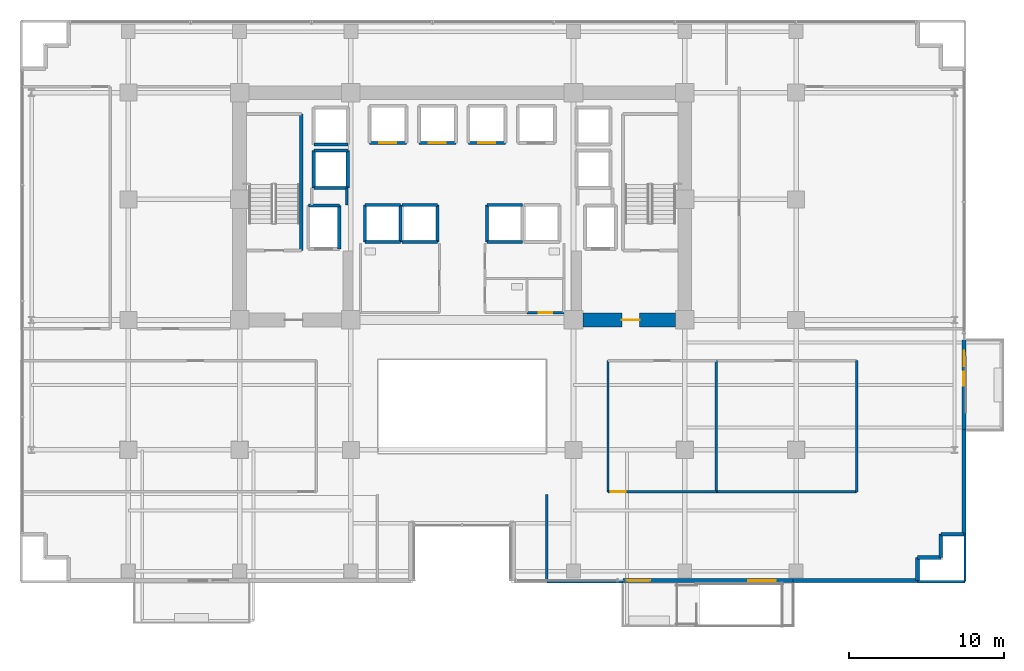
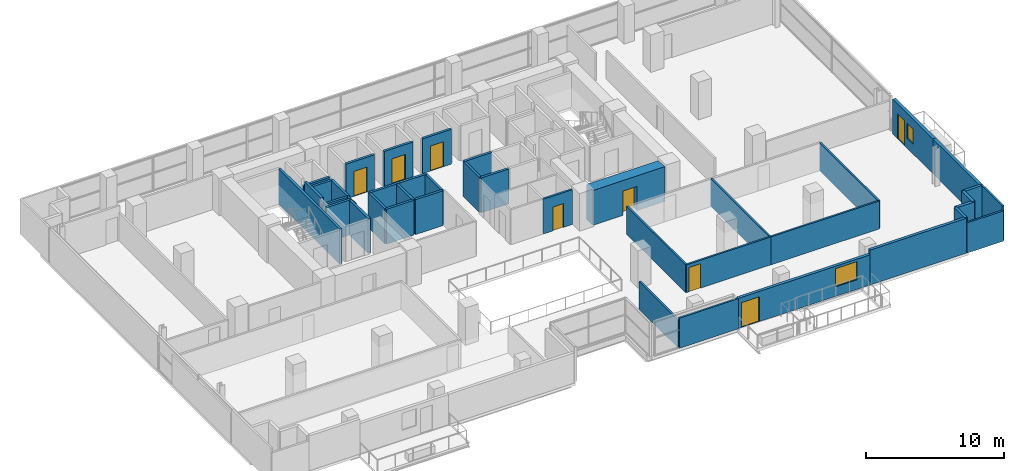
# One storey, part 22 of 28: 41 walls, 8 doors, 2 windows, 10 openings.
"""IFC4 building model written with IfcOpenShell, lengths in metres."""

from ifc_helpers import new_model, si_unit, direction, frame, frame_2d, origin, place, context, subcontext, project, spatial, rectangle, extrude, source, transform, mapped, material, layer, layer_set, type_object, element, fill, save


model = new_model("IFC4")

# Units and contexts
model_context = context("Model", 3, precision=1e-05, world=origin(), true_north=direction((0.0, 1.0)))
body_context = subcontext(model_context, "Body", "Model", "MODEL_VIEW")
ifc_project = project(units=[si_unit("LENGTHUNIT", "METRE"), si_unit("AREAUNIT", "SQUARE_METRE"), si_unit("VOLUMEUNIT", "CUBIC_METRE"), si_unit("PLANEANGLEUNIT", "RADIAN"), si_unit("MASSUNIT", "GRAM", prefix="KILO")], contexts=[model_context])

# Site, building, storey
site_placement = place(None, origin())
site = spatial("IfcSite", under=ifc_project, at=site_placement, CompositionType="ELEMENT")
building_placement = place(site_placement, origin())
building = spatial("IfcBuilding", under=site, at=building_placement, Name="Zarnakvel Exchange Tower", CompositionType="ELEMENT")
storey_placement = place(building_placement, frame((0.0, 0.0, 57.10009765625)))
storey = spatial("IfcBuildingStorey", under=building, at=storey_placement, Name="L15", CompositionType="ELEMENT", Elevation=57.10009765625)

# Wall, opening, door
ifc_material_1 = material(Name="Concrete C80/95", Category="concrete")
ifc_layer_1 = layer(ifc_material_1, 0.89990234375)
ifc_layer_set_1 = layer_set([ifc_layer_1], Name="Concrete C80/95")
wall_type_1 = type_object("IfcWallType", Name="CW-C1", PredefinedType="SHEAR", material=ifc_layer_set_1)
wall_1_placement = place(storey_placement, frame((13.800048828125, -1.199951171875, 0.0), z_axis=(0.0, 0.0, 1.0), x_axis=(-1.0, 0.0, 0.0)))
wall_1 = element("IfcWall", 1, at=wall_1_placement, inside=storey, type_object=wall_type_1, Name="L15 Rear Core Shear Wall SE (CW-C1)", PredefinedType="SHEAR", context=body_context, shape_type="SweptSolid", body=[
    extrude(rectangle(XDim=6.0, YDim=0.89990234375, at=frame_2d((3.0, 0.0))), origin(), (0.0, 0.0, 1.0), 3.074951171875),
])
opening_1_placement = place(wall_1_placement, frame((2.324951171875, 0.0, 0.0)))
opening_1 = element("IfcOpeningElement", 2, at=opening_1_placement, cuts=wall_1, Name="Opening D-L15-04", PredefinedType="OPENING", context=body_context, shape_type="SweptSolid", body=[
    extrude(rectangle(XDim=1.14990234375, YDim=2.14990234375, at=frame_2d((0.574951171875, 1.074951171875))), frame((0.0, 0.4599609375, 0.0), z_axis=(0.0, -1.0, 0.0), x_axis=(1.0, 0.0, 0.0)), (0.0, 0.0, 1.0), 0.919921875),
])
ifc_material_2 = material(Name="Painted Galvanised Steel S355", Category="steel")
door_type_1 = type_object("IfcDoorType", Name="DT-04", OperationType="NOTDEFINED", PredefinedType="DOOR", material=ifc_material_2)
shared_shape_1 = source(origin(), body_context, "Body", "SweptSolid", [
    extrude(rectangle(XDim=1.14990234375, YDim=2.14990234375, at=frame_2d((0.574951171875, 1.074951171875))), frame((0.0, 0.02490234375, 0.0), z_axis=(0.0, -1.0, 0.0), x_axis=(1.0, 0.0, 0.0)), (0.0, 0.0, 1.0), 0.050048828125),
])
door_1_placement = place(opening_1_placement, origin())
door_1 = element("IfcDoor", 3, at=door_1_placement, inside=storey, type_object=door_type_1, Name="L15 Firefighting Lobby East Door D-L15-04", OperationType="SINGLE_SWING_RIGHT", OverallHeight=2.14990234375, OverallWidth=1.14990234375, PredefinedType="DOOR", context=body_context, shape_type="MappedRepresentation", body=[
    mapped(shared_shape_1, transform((0.0, 0.0, 0.0), x_axis=(1.0, 0.0, 0.0), y_axis=(0.0, 1.0, 0.0), z_axis=(0.0, 0.0, 1.0), scale=1.0)),
])
fill(opening_1, door_1)

# Wall, openings, door, window
ifc_material_3 = material(Name="Precast concrete C40/50", Category="concrete")
ifc_layer_2 = layer(ifc_material_3, 0.239990234375)
ifc_layer_set_2 = layer_set([ifc_layer_2], Name="Precast concrete C40/50")
wall_type_2 = type_object("IfcWallType", Name="EW-02", PredefinedType="SOLIDWALL", material=ifc_layer_set_2)
wall_2_placement = place(storey_placement, frame((32.4599609375, -2.5, 0.0), z_axis=(0.0, 0.0, 1.0), x_axis=(0.0, -1.0, 0.0)))
wall_2 = element("IfcWall", 4, at=wall_2_placement, inside=storey, type_object=wall_type_2, Name="L15 Exterior Precast Spandrel Wall EW-BAL-L15-E (EW-02)", PredefinedType="SOLIDWALL", context=body_context, shape_type="SweptSolid", body=[
    extrude(rectangle(XDim=5.800048828125, YDim=0.239990234375, at=frame_2d((2.89990234375, 0.0))), origin(), (0.0, 0.0, 1.0), 3.074951171875),
])
opening_2_placement = place(wall_2_placement, frame((0.696044921875, 0.0, 0.0)))
opening_2 = element("IfcOpeningElement", 5, at=opening_2_placement, cuts=wall_2, Name="Opening BD-L15-02", PredefinedType="OPENING", context=body_context, shape_type="SweptSolid", body=[
    extrude(rectangle(XDim=1.0, YDim=2.199951171875, at=frame_2d((0.5, 1.10009765625))), frame((0.0, 0.1298828125, 0.0), z_axis=(0.0, -1.0, 0.0), x_axis=(1.0, 0.0, 0.0)), (0.0, 0.0, 1.0), 0.260009765625),
])
opening_3_placement = place(wall_2_placement, frame((2.0458984375, 0.0, 0.85009765625)))
opening_3 = element("IfcOpeningElement", 6, at=opening_3_placement, cuts=wall_2, Name="Opening WN-06", PredefinedType="OPENING", context=body_context, shape_type="SweptSolid", body=[
    extrude(rectangle(XDim=0.89990234375, YDim=1.35009765625, at=frame_2d((0.449951171875, 0.675048828125))), frame((0.0, 0.1298828125, 0.0), z_axis=(0.0, -1.0, 0.0), x_axis=(1.0, 0.0, 0.0)), (0.0, 0.0, 1.0), 0.260009765625),
])
ifc_material_4 = material(Name="Architectural Bronze Anodised Aluminium", Category="aluminium")
door_type_2 = type_object("IfcDoorType", Name="DT-09", OperationType="NOTDEFINED", PredefinedType="DOOR", material=ifc_material_4)
shared_shape_2 = source(origin(), body_context, "Body", "SweptSolid", [
    extrude(rectangle(XDim=1.0, YDim=2.199951171875, at=frame_2d((0.5, 1.10009765625))), frame((0.0, 0.02490234375, 0.0), z_axis=(0.0, -1.0, 0.0), x_axis=(1.0, 0.0, 0.0)), (0.0, 0.0, 1.0), 0.050048828125),
])
door_2_placement = place(opening_2_placement, origin())
door_2 = element("IfcDoor", 7, at=door_2_placement, inside=storey, type_object=door_type_2, Name="L15 Planted Loggia Balcony Door BD-L15-02", OperationType="SINGLE_SWING_RIGHT", OverallHeight=2.199951171875, OverallWidth=1.0, PredefinedType="DOOR", context=body_context, shape_type="MappedRepresentation", body=[
    mapped(shared_shape_2, transform((0.0, 0.0, 0.0), x_axis=(1.0, 0.0, 0.0), y_axis=(0.0, 1.0, 0.0), z_axis=(0.0, 0.0, 1.0), scale=1.0)),
])
fill(opening_2, door_2)
ifc_material_5 = material(Name="Double Low-E Laminated Vision Glass", Category="glass")
window_type_1 = type_object("IfcWindowType", Name="WN-06", PartitioningType="SINGLE_PANEL", PredefinedType="WINDOW", material=ifc_material_5)
shared_shape_3 = source(origin(), body_context, "Body", "SweptSolid", [
    extrude(rectangle(XDim=0.89990234375, YDim=1.35009765625, at=frame_2d((0.449951171875, 0.675048828125))), frame((0.0, 0.030029296875, 0.0), z_axis=(0.0, -1.0, 0.0), x_axis=(1.0, 0.0, 0.0)), (0.0, 0.0, 1.0), 0.06005859375),
])
window_1_placement = place(opening_3_placement, origin())
window_1 = element("IfcWindow", 8, at=window_1_placement, inside=storey, type_object=window_type_1, Name="L15 Loggia Daylight Window (WN-06)", OverallHeight=1.35009765625, OverallWidth=0.89990234375, PartitioningType="SINGLE_PANEL", PredefinedType="WINDOW", context=body_context, shape_type="MappedRepresentation", body=[
    mapped(shared_shape_3, transform((0.0, 0.0, 0.0), x_axis=(1.0, 0.0, 0.0), y_axis=(0.0, 1.0, 0.0), z_axis=(0.0, 0.0, 1.0), scale=1.0)),
])
fill(opening_3, window_1)

wall_3_placement = place(storey_placement, frame((21.39990234375, -18.06005859375, 0.0), z_axis=(0.0, 0.0, 1.0), x_axis=(-1.0, 0.0, 0.0)))
wall_3 = element("IfcWall", 9, at=wall_3_placement, inside=storey, type_object=wall_type_2, Name="L15 Exterior Precast Spandrel Wall EW-SPTER-L15 (EW-02)", PredefinedType="SOLIDWALL", context=body_context, shape_type="SweptSolid", body=[
    extrude(rectangle(XDim=11.0, YDim=0.239990234375, at=frame_2d((5.5, 0.0))), origin(), (0.0, 0.0, 1.0), 2.664794921875),
])
opening_4_placement = place(wall_3_placement, frame((9.25, 0.0, 0.0)))
opening_4 = element("IfcOpeningElement", 10, at=opening_4_placement, cuts=wall_3, Name="Opening TD-L15-SP", PredefinedType="OPENING", context=body_context, shape_type="SweptSolid", body=[
    extrude(rectangle(XDim=1.5, YDim=2.199951171875, at=frame_2d((0.75, 1.10009765625))), frame((0.0, 0.1298828125, 0.0), z_axis=(0.0, -1.0, 0.0), x_axis=(1.0, 0.0, 0.0)), (0.0, 0.0, 1.0), 0.260009765625),
])
opening_5_placement = place(wall_3_placement, frame((1.10009765625, 0.0, 0.85009765625)))
opening_5 = element("IfcOpeningElement", 11, at=opening_5_placement, cuts=wall_3, Name="Opening WN-05", PredefinedType="OPENING", context=body_context, shape_type="SweptSolid", body=[
    extrude(rectangle(XDim=1.800048828125, YDim=1.60009765625, at=frame_2d((0.89990234375, 0.800048828125))), frame((0.0, 0.1298828125, 0.0), z_axis=(0.0, -1.0, 0.0), x_axis=(1.0, 0.0, 0.0)), (0.0, 0.0, 1.0), 0.260009765625),
])
door_type_3 = type_object("IfcDoorType", Name="DT-10", OperationType="NOTDEFINED", PredefinedType="DOOR", material=ifc_material_4)
shared_shape_4 = source(origin(), body_context, "Body", "SweptSolid", [
    extrude(rectangle(XDim=1.5, YDim=2.199951171875, at=frame_2d((0.75, 1.10009765625))), frame((0.0, 0.02490234375, 0.0), z_axis=(0.0, -1.0, 0.0), x_axis=(1.0, 0.0, 0.0)), (0.0, 0.0, 1.0), 0.050048828125),
])
door_3_placement = place(opening_4_placement, origin())
door_3 = element("IfcDoor", 12, at=door_3_placement, inside=storey, type_object=door_type_3, Name="L15 Spiral Sky-Terrace Access Door TD-L15-SP", OperationType="DOUBLE_DOOR_SINGLE_SWING", OverallHeight=2.199951171875, OverallWidth=1.5, PredefinedType="DOOR", context=body_context, shape_type="MappedRepresentation", body=[
    mapped(shared_shape_4, transform((0.0, 0.0, 0.0), x_axis=(1.0, 0.0, 0.0), y_axis=(0.0, 1.0, 0.0), z_axis=(0.0, 0.0, 1.0), scale=1.0)),
])
fill(opening_4, door_3)
window_type_2 = type_object("IfcWindowType", Name="WN-05", PartitioningType="SINGLE_PANEL", PredefinedType="WINDOW", material=ifc_material_5)
shared_shape_5 = source(origin(), body_context, "Body", "SweptSolid", [
    extrude(rectangle(XDim=1.800048828125, YDim=1.60009765625, at=frame_2d((0.89990234375, 0.800048828125))), frame((0.0, 0.030029296875, 0.0), z_axis=(0.0, -1.0, 0.0), x_axis=(1.0, 0.0, 0.0)), (0.0, 0.0, 1.0), 0.06005859375),
])
window_2_placement = place(opening_5_placement, origin())
window_2 = element("IfcWindow", 13, at=window_2_placement, inside=storey, type_object=window_type_2, Name="L15 Spiral Sky-Terrace Lounge Window", OverallHeight=1.60009765625, OverallWidth=1.800048828125, PartitioningType="SINGLE_PANEL", PredefinedType="WINDOW", context=body_context, shape_type="MappedRepresentation", body=[
    mapped(shared_shape_5, transform((0.0, 0.0, 0.0), x_axis=(1.0, 0.0, 0.0), y_axis=(0.0, 1.0, 0.0), z_axis=(0.0, 0.0, 1.0), scale=1.0)),
])
fill(opening_5, window_2)

# Walls
wall_4_placement = place(storey_placement, frame((32.4599609375, -15.06005859375, 0.0), z_axis=(0.0, 0.0, 1.0), x_axis=(0.0, 1.0, 0.0)))
element("IfcWall", 14, at=wall_4_placement, inside=storey, type_object=wall_type_2, Name="L15 Exterior Precast Spandrel Wall EWC-L15-10 (EW-02)", PredefinedType="SOLIDWALL", context=body_context, shape_type="SweptSolid", body=[
    extrude(rectangle(XDim=6.760009765625, YDim=0.239990234375, at=frame_2d((3.3798828125, 0.0))), origin(), (0.0, 0.0, 1.0), 3.074951171875),
])
for number, where, z_axis, x_axis, name in (
    (15, (30.9599609375, -15.06005859375, 0.0), (0.0, 0.0, 1.0), (1.0, 0.0, 0.0), "L15 Exterior Precast Spandrel Wall EWC-L15-11 (EW-02)"),
    (16, (30.9599609375, -16.56005859375, 0.0), (0.0, 0.0, 1.0), (0.0, 1.0, 0.0), "L15 Exterior Precast Spandrel Wall EWC-L15-12 (EW-02)"),
    (17, (29.4599609375, -16.56005859375, 0.0), (0.0, 0.0, 1.0), (1.0, 0.0, 0.0), "L15 Exterior Precast Spandrel Wall EWC-L15-13 (EW-02)"),
    (18, (29.4599609375, -18.06005859375, 0.0), (0.0, 0.0, 1.0), (0.0, 1.0, 0.0), "L15 Exterior Precast Spandrel Wall EWC-L15-14 (EW-02)"),
):
    element("IfcWall", number, at=place(storey_placement, frame(where, z_axis=z_axis, x_axis=x_axis)), inside=storey, type_object=wall_type_2, Name=name, PredefinedType="SOLIDWALL", context=body_context, shape_type="SweptSolid", body=[
        extrude(rectangle(XDim=1.5, YDim=0.239990234375, at=frame_2d((0.75, 0.0))), origin(), (0.0, 0.0, 1.0), 3.074951171875),
    ])
wall_5_placement = place(storey_placement, frame((21.39990234375, -18.06005859375, 0.0), z_axis=(0.0, 0.0, 1.0), x_axis=(1.0, 0.0, 0.0)))
element("IfcWall", 19, at=wall_5_placement, inside=storey, type_object=wall_type_2, Name="L15 Exterior Precast Spandrel Wall EWC-L15-15 (EW-02)", PredefinedType="SOLIDWALL", context=body_context, shape_type="SweptSolid", body=[
    extrude(rectangle(XDim=8.06005859375, YDim=0.239990234375, at=frame_2d((4.030029296875, 0.0))), origin(), (0.0, 0.0, 1.0), 3.074951171875),
])

# Wall, opening, door
ifc_material_6 = material(Name="Fire-Rated Gypsum Stud Partition", Category="gypsum")
ifc_layer_3 = layer(ifc_material_6, 0.14990234375)
ifc_layer_set_3 = layer_set([ifc_layer_3], Name="Fire-Rated Gypsum Stud Partition")
wall_type_3 = type_object("IfcWallType", Name="PT-01", PredefinedType="PARTITIONING", material=ifc_layer_set_3)
wall_6_placement = place(storey_placement, frame((6.580078125, -0.72998046875, 0.0), z_axis=(0.0, 0.0, 1.0), x_axis=(-1.0, 0.0, 0.0)))
wall_6 = element("IfcWall", 20, at=wall_6_placement, inside=storey, type_object=wall_type_3, Name="L15 Partition Wall PWALL-L15-020 (PT-01)", PredefinedType="PARTITIONING", context=body_context, shape_type="SweptSolid", body=[
    extrude(rectangle(XDim=2.400146484375, YDim=0.14990234375, at=frame_2d((1.2001953125, 0.0))), origin(), (0.0, 0.0, 1.0), 3.074951171875),
])
opening_6_placement = place(wall_6_placement, frame((0.760009765625, 0.0, 0.0)))
opening_6 = element("IfcOpeningElement", 21, at=opening_6_placement, cuts=wall_6, Name="Opening D-L15-08", PredefinedType="OPENING", context=body_context, shape_type="SweptSolid", body=[
    extrude(rectangle(XDim=0.8798828125, YDim=2.10009765625, at=frame_2d((0.43994140625, 1.050048828125))), frame((0.0, 0.0849609375, 0.0), z_axis=(0.0, -1.0, 0.0), x_axis=(1.0, 0.0, 0.0)), (0.0, 0.0, 1.0), 0.169921875),
])
door_type_4 = type_object("IfcDoorType", Name="DT-08", OperationType="NOTDEFINED", PredefinedType="DOOR", material=ifc_material_2)
shared_shape_6 = source(origin(), body_context, "Body", "SweptSolid", [
    extrude(rectangle(XDim=0.8798828125, YDim=2.10009765625, at=frame_2d((0.43994140625, 1.050048828125))), frame((0.0, 0.02490234375, 0.0), z_axis=(0.0, -1.0, 0.0), x_axis=(1.0, 0.0, 0.0)), (0.0, 0.0, 1.0), 0.050048828125),
])
door_4_placement = place(opening_6_placement, origin())
door_4 = element("IfcDoor", 22, at=door_4_placement, inside=storey, type_object=door_type_4, Name="L15 Cleaners Store Door D-L15-08", OperationType="SINGLE_SWING_RIGHT", OverallHeight=2.10009765625, OverallWidth=0.8798828125, PredefinedType="DOOR", context=body_context, shape_type="MappedRepresentation", body=[
    mapped(shared_shape_6, transform((0.0, 0.0, 0.0), x_axis=(1.0, 0.0, 0.0), y_axis=(0.0, 1.0, 0.0), z_axis=(0.0, 0.0, 1.0), scale=1.0)),
])
fill(opening_6, door_4)

wall_7_placement = place(storey_placement, frame((16.444580078125, -12.320068359375, 0.0), z_axis=(0.0, 0.0, 1.0), x_axis=(-1.0, 0.0, 0.0)))
wall_7 = element("IfcWall", 23, at=wall_7_placement, inside=storey, type_object=wall_type_3, Name="L15 Partition Wall PWALL-L15-029 (PT-01)", PredefinedType="PARTITIONING", context=body_context, shape_type="SweptSolid", body=[
    extrude(rectangle(XDim=7.0146484375, YDim=0.14990234375, at=frame_2d((3.50732421875, 0.0))), origin(), (0.0, 0.0, 1.0), 2.46484375),
])
opening_7_placement = place(wall_7_placement, frame((5.8544921875, 0.0, 0.0)))
opening_7 = element("IfcOpeningElement", 24, at=opening_7_placement, cuts=wall_7, Name="Opening D-L15-13", PredefinedType="OPENING", context=body_context, shape_type="SweptSolid", body=[
    extrude(rectangle(XDim=0.97998046875, YDim=2.14990234375, at=frame_2d((0.489990234375, 1.074951171875))), frame((0.0, 0.0849609375, 0.0), z_axis=(0.0, -1.0, 0.0), x_axis=(1.0, 0.0, 0.0)), (0.0, 0.0, 1.0), 0.169921875),
])
ifc_material_7 = material(Name="Timber Acoustic Veneer", Category="wood")
door_type_5 = type_object("IfcDoorType", Name="DT-05", OperationType="NOTDEFINED", PredefinedType="DOOR", material=ifc_material_7)
shared_shape_7 = source(origin(), body_context, "Body", "SweptSolid", [
    extrude(rectangle(XDim=0.97998046875, YDim=2.14990234375, at=frame_2d((0.489990234375, 1.074951171875))), frame((0.0, 0.02490234375, 0.0), z_axis=(0.0, -1.0, 0.0), x_axis=(1.0, 0.0, 0.0)), (0.0, 0.0, 1.0), 0.050048828125),
])
door_5_placement = place(opening_7_placement, origin())
door_5 = element("IfcDoor", 25, at=door_5_placement, inside=storey, type_object=door_type_5, Name="L15 Brokerage Office Door D-L15-13", OperationType="SINGLE_SWING_LEFT", OverallHeight=2.14990234375, OverallWidth=0.97998046875, PredefinedType="DOOR", context=body_context, shape_type="MappedRepresentation", body=[
    mapped(shared_shape_7, transform((0.0, 0.0, 0.0), x_axis=(1.0, 0.0, 0.0), y_axis=(0.0, 1.0, 0.0), z_axis=(0.0, 0.0, 1.0), scale=1.0)),
])
fill(opening_7, door_5)

# Walls
for number, where, z_axis, x_axis, name in (
    (26, (9.429931640625, -12.320068359375, 0.0), (0.0, 0.0, 1.0), (0.0, 1.0, 0.0), "L15 Partition Wall PWALL-L15-031 (PT-01)"),
    (27, (16.444580078125, -3.830078125, 0.0), (0.0, 0.0, 1.0), (0.0, -1.0, 0.0), "L15 Partition Wall PWALL-L15-032 (PT-01)"),
):
    element("IfcWall", number, at=place(storey_placement, frame(where, z_axis=z_axis, x_axis=x_axis)), inside=storey, type_object=wall_type_3, Name=name, PredefinedType="PARTITIONING", context=body_context, shape_type="SweptSolid", body=[
        extrude(rectangle(XDim=8.489990234375, YDim=0.14990234375, at=frame_2d((4.2451171875, 0.0))), origin(), (0.0, 0.0, 1.0), 2.46484375),
    ])
wall_8_placement = place(storey_placement, frame((25.515380859375, -12.320068359375, 0.0), z_axis=(0.0, 0.0, 1.0), x_axis=(-1.0, 0.0, 0.0)))
element("IfcWall", 28, at=wall_8_placement, inside=storey, type_object=wall_type_3, Name="L15 Partition Wall PWALL-L15-033 (PT-01)", PredefinedType="PARTITIONING", context=body_context, shape_type="SweptSolid", body=[
    extrude(rectangle(XDim=9.07080078125, YDim=0.14990234375, at=frame_2d((4.535400390625, 0.0))), origin(), (0.0, 0.0, 1.0), 2.46484375),
])
wall_9_placement = place(storey_placement, frame((25.515380859375, -3.830078125, 0.0), z_axis=(0.0, 0.0, 1.0), x_axis=(0.0, -1.0, 0.0)))
element("IfcWall", 29, at=wall_9_placement, inside=storey, type_object=wall_type_3, Name="L15 Partition Wall PWALL-L15-035 (PT-01)", PredefinedType="PARTITIONING", context=body_context, shape_type="SweptSolid", body=[
    extrude(rectangle(XDim=8.489990234375, YDim=0.14990234375, at=frame_2d((4.2451171875, 0.0))), origin(), (0.0, 0.0, 1.0), 2.46484375),
])
wall_10_placement = place(storey_placement, frame((10.39990234375, -18.1298828125, 0.0), z_axis=(0.0, 0.0, 1.0), x_axis=(-1.0, 0.0, 0.0)))
element("IfcWall", 30, at=wall_10_placement, inside=storey, type_object=wall_type_3, Name="L15 Partition Wall PWALL-L15-036 (PT-01)", PredefinedType="PARTITIONING", context=body_context, shape_type="SweptSolid", body=[
    extrude(rectangle(XDim=4.919921875, YDim=0.14990234375, at=frame_2d((2.4599609375, 0.0))), origin(), (0.0, 0.0, 1.0), 2.664794921875),
])
wall_11_placement = place(storey_placement, frame((5.47998046875, -18.1298828125, 0.0), z_axis=(0.0, 0.0, 1.0), x_axis=(0.0, 1.0, 0.0)))
element("IfcWall", 31, at=wall_11_placement, inside=storey, type_object=wall_type_3, Name="L15 Partition Wall PWALL-L15-037 (PT-01)", PredefinedType="PARTITIONING", context=body_context, shape_type="SweptSolid", body=[
    extrude(rectangle(XDim=5.64990234375, YDim=0.14990234375, at=frame_2d((2.824951171875, 0.0))), origin(), (0.0, 0.0, 1.0), 2.46484375),
])
wall_12_placement = place(storey_placement, frame((32.530029296875, -15.06005859375, 0.0), z_axis=(0.0, 0.0, 1.0), x_axis=(0.0, -1.0, 0.0)))
element("IfcWall", 32, at=wall_12_placement, inside=storey, type_object=wall_type_3, Name="L15 Partition Wall PWALL-L15-038 (PT-01)", PredefinedType="PARTITIONING", context=body_context, shape_type="SweptSolid", body=[
    extrude(rectangle(XDim=3.06982421875, YDim=0.14990234375, at=frame_2d((1.534912109375, 0.0))), origin(), (0.0, 0.0, 1.0), 3.074951171875),
])
wall_13_placement = place(storey_placement, frame((32.530029296875, -18.1298828125, 0.0), z_axis=(0.0, 0.0, 1.0), x_axis=(-1.0, 0.0, 0.0)))
element("IfcWall", 33, at=wall_13_placement, inside=storey, type_object=wall_type_3, Name="L15 Partition Wall PWALL-L15-036-S1 (PT-01)", PredefinedType="PARTITIONING", context=body_context, shape_type="SweptSolid", body=[
    extrude(rectangle(XDim=3.070068359375, YDim=0.14990234375, at=frame_2d((1.53515625, 0.0))), origin(), (0.0, 0.0, 1.0), 2.664794921875),
])
ifc_layer_4 = layer(ifc_material_6, 0.179931640625)
ifc_layer_set_4 = layer_set([ifc_layer_4], Name="Fire-Rated Gypsum Stud Partition")
wall_type_4 = type_object("IfcWallType", Name="PT-02", PredefinedType="PARTITIONING", material=ifc_layer_set_4)
wall_14_placement = place(storey_placement, frame((-7.469970703125, 7.330078125, 0.0), z_axis=(0.0, 0.0, 1.0), x_axis=(0.0, -1.0, 0.0)))
element("IfcWall", 34, at=wall_14_placement, inside=storey, type_object=wall_type_4, Name="L15 Partition Wall PWALL-L15-008 (PT-02)", PredefinedType="PARTITIONING", context=body_context, shape_type="SweptSolid", body=[
    extrude(rectangle(XDim=1.090087890625, YDim=0.179931640625, at=frame_2d((0.544921875, 0.0))), origin(), (0.0, 0.0, 1.0), 2.46484375),
])
ifc_material_8 = material(Name="Concrete C40/50", Category="concrete")
ifc_layer_5 = layer(ifc_material_8, 0.199951171875)
ifc_layer_set_5 = layer_set([ifc_layer_5], Name="Concrete C40/50")
wall_type_5 = type_object("IfcWallType", Name="SW-01", PredefinedType="SOLIDWALL", material=ifc_layer_set_5)
wall_15_placement = place(storey_placement, frame((-9.949951171875, 6.199951171875, 0.0), z_axis=(0.0, 0.0, 1.0), x_axis=(1.0, 0.0, 0.0)))
element("IfcWall", 35, at=wall_15_placement, inside=storey, type_object=wall_type_5, Name="L15 FL-01 Hoistway Wall North", PredefinedType="SOLIDWALL", context=body_context, shape_type="SweptSolid", body=[
    extrude(rectangle(XDim=2.0, YDim=0.199951171875, at=frame_2d((1.0, 0.0))), origin(), (0.0, 0.0, 1.0), 3.074951171875),
])
wall_16_placement = place(storey_placement, frame((-7.949951171875, 6.199951171875, 0.0), z_axis=(0.0, 0.0, 1.0), x_axis=(0.0, -1.0, 0.0)))
element("IfcWall", 36, at=wall_16_placement, inside=storey, type_object=wall_type_5, Name="L15 FL-01 Hoistway Wall East", PredefinedType="SOLIDWALL", context=body_context, shape_type="SweptSolid", body=[
    extrude(rectangle(XDim=2.800048828125, YDim=0.199951171875, at=frame_2d((1.39990234375, 0.0))), origin(), (0.0, 0.0, 1.0), 3.074951171875),
])

# Wall, opening, door
wall_17_placement = place(storey_placement, frame((-3.60009765625, 10.25, 0.0), z_axis=(0.0, 0.0, 1.0), x_axis=(-1.0, 0.0, 0.0)))
wall_17 = element("IfcWall", 37, at=wall_17_placement, inside=storey, type_object=wall_type_5, Name="L15 PL-01 Hoistway Wall South", PredefinedType="SOLIDWALL", context=body_context, shape_type="SweptSolid", body=[
    extrude(rectangle(XDim=2.39990234375, YDim=0.199951171875, at=frame_2d((1.199951171875, 0.0))), origin(), (0.0, 0.0, 1.0), 3.074951171875),
])
opening_8_placement = place(wall_17_placement, frame((0.64990234375, 0.0, 0.0)))
opening_8 = element("IfcOpeningElement", 38, at=opening_8_placement, cuts=wall_17, Name="Opening LD-PL-01-L15", PredefinedType="OPENING", context=body_context, shape_type="SweptSolid", body=[
    extrude(rectangle(XDim=1.10009765625, YDim=2.199951171875, at=frame_2d((0.550048828125, 1.10009765625))), frame((0.0, 0.10986328125, 0.0), z_axis=(0.0, -1.0, 0.0), x_axis=(1.0, 0.0, 0.0)), (0.0, 0.0, 1.0), 0.219970703125),
])
door_type_6 = type_object("IfcDoorType", Name="LDT-02", OperationType="NOTDEFINED", PredefinedType="DOOR", material=ifc_material_4)
shared_shape_8 = source(origin(), body_context, "Body", "SweptSolid", [
    extrude(rectangle(XDim=1.10009765625, YDim=2.199951171875, at=frame_2d((0.550048828125, 1.10009765625))), frame((0.0, 0.02490234375, 0.0), z_axis=(0.0, -1.0, 0.0), x_axis=(1.0, 0.0, 0.0)), (0.0, 0.0, 1.0), 0.050048828125),
])
door_6_placement = place(opening_8_placement, origin())
door_6 = element("IfcDoor", 39, at=door_6_placement, inside=storey, type_object=door_type_6, Name="L15 PL-01 Lift Landing Door LD-PL-01-L15", OperationType="DOUBLE_DOOR_SLIDING", OverallHeight=2.199951171875, OverallWidth=1.10009765625, PredefinedType="DOOR", context=body_context, shape_type="MappedRepresentation", body=[
    mapped(shared_shape_8, transform((0.0, 0.0, 0.0), x_axis=(1.0, 0.0, 0.0), y_axis=(0.0, 1.0, 0.0), z_axis=(0.0, 0.0, 1.0), scale=1.0)),
])
fill(opening_8, door_6)

wall_18_placement = place(storey_placement, frame((-0.39990234375, 10.25, 0.0), z_axis=(0.0, 0.0, 1.0), x_axis=(-1.0, 0.0, 0.0)))
wall_18 = element("IfcWall", 40, at=wall_18_placement, inside=storey, type_object=wall_type_5, Name="L15 PL-02 Hoistway Wall South", PredefinedType="SOLIDWALL", context=body_context, shape_type="SweptSolid", body=[
    extrude(rectangle(XDim=2.400146484375, YDim=0.199951171875, at=frame_2d((1.2001953125, 0.0))), origin(), (0.0, 0.0, 1.0), 3.074951171875),
])
opening_9_placement = place(wall_18_placement, frame((0.64990234375, 0.0, 0.0)))
opening_9 = element("IfcOpeningElement", 41, at=opening_9_placement, cuts=wall_18, Name="Opening LD-PL-02-L15", PredefinedType="OPENING", context=body_context, shape_type="SweptSolid", body=[
    extrude(rectangle(XDim=1.10009765625, YDim=2.199951171875, at=frame_2d((0.550048828125, 1.10009765625))), frame((0.0, 0.10986328125, 0.0), z_axis=(0.0, -1.0, 0.0), x_axis=(1.0, 0.0, 0.0)), (0.0, 0.0, 1.0), 0.219970703125),
])
door_7_placement = place(opening_9_placement, origin())
door_7 = element("IfcDoor", 42, at=door_7_placement, inside=storey, type_object=door_type_6, Name="L15 PL-02 Lift Landing Door LD-PL-02-L15", OperationType="DOUBLE_DOOR_SLIDING", OverallHeight=2.199951171875, OverallWidth=1.10009765625, PredefinedType="DOOR", context=body_context, shape_type="MappedRepresentation", body=[
    mapped(shared_shape_8, transform((0.0, 0.0, 0.0), x_axis=(1.0, 0.0, 0.0), y_axis=(0.0, 1.0, 0.0), z_axis=(0.0, 0.0, 1.0), scale=1.0)),
])
fill(opening_9, door_7)

wall_19_placement = place(storey_placement, frame((2.800048828125, 10.25, 0.0), z_axis=(0.0, 0.0, 1.0), x_axis=(-1.0, 0.0, 0.0)))
wall_19 = element("IfcWall", 43, at=wall_19_placement, inside=storey, type_object=wall_type_5, Name="L15 PL-03 Hoistway Wall South", PredefinedType="SOLIDWALL", context=body_context, shape_type="SweptSolid", body=[
    extrude(rectangle(XDim=2.400146484375, YDim=0.199951171875, at=frame_2d((1.2001953125, 0.0))), origin(), (0.0, 0.0, 1.0), 3.074951171875),
])
opening_10_placement = place(wall_19_placement, frame((0.64990234375, 0.0, 0.0)))
opening_10 = element("IfcOpeningElement", 44, at=opening_10_placement, cuts=wall_19, Name="Opening LD-PL-03-L15", PredefinedType="OPENING", context=body_context, shape_type="SweptSolid", body=[
    extrude(rectangle(XDim=1.10009765625, YDim=2.199951171875, at=frame_2d((0.550048828125, 1.10009765625))), frame((0.0, 0.10986328125, 0.0), z_axis=(0.0, -1.0, 0.0), x_axis=(1.0, 0.0, 0.0)), (0.0, 0.0, 1.0), 0.219970703125),
])
door_8_placement = place(opening_10_placement, origin())
door_8 = element("IfcDoor", 45, at=door_8_placement, inside=storey, type_object=door_type_6, Name="L15 PL-03 Lift Landing Door LD-PL-03-L15", OperationType="DOUBLE_DOOR_SLIDING", OverallHeight=2.199951171875, OverallWidth=1.10009765625, PredefinedType="DOOR", context=body_context, shape_type="MappedRepresentation", body=[
    mapped(shared_shape_8, transform((0.0, 0.0, 0.0), x_axis=(1.0, 0.0, 0.0), y_axis=(0.0, 1.0, 0.0), z_axis=(0.0, 0.0, 1.0), scale=1.0)),
])
fill(opening_10, door_8)

# Walls
for number, where, z_axis, x_axis, name in (
    (46, (-4.0, 3.85009765625, 0.0), (0.0, 0.0, 1.0), (-1.0, 0.0, 0.0), "L15 PL-05 Hoistway Wall South"),
    (47, (-6.300048828125, 6.25, 0.0), (0.0, 0.0, 1.0), (1.0, 0.0, 0.0), "L15 PL-05 Hoistway Wall North"),
):
    element("IfcWall", number, at=place(storey_placement, frame(where, z_axis=z_axis, x_axis=x_axis)), inside=storey, type_object=wall_type_5, Name=name, PredefinedType="SOLIDWALL", context=body_context, shape_type="SweptSolid", body=[
        extrude(rectangle(XDim=2.300048828125, YDim=0.199951171875, at=frame_2d((1.14990234375, 0.0))), origin(), (0.0, 0.0, 1.0), 3.074951171875),
    ])
for number, where, z_axis, x_axis, name in (
    (48, (-6.300048828125, 3.85009765625, 0.0), (0.0, 0.0, 1.0), (0.0, 1.0, 0.0), "L15 PL-05 Hoistway Wall West"),
    (49, (-4.0, 6.25, 0.0), (0.0, 0.0, 1.0), (0.0, -1.0, 0.0), "L15 PL-05 Hoistway Wall East"),
):
    element("IfcWall", number, at=place(storey_placement, frame(where, z_axis=z_axis, x_axis=x_axis)), inside=storey, type_object=wall_type_5, Name=name, PredefinedType="SOLIDWALL", context=body_context, shape_type="SweptSolid", body=[
        extrude(rectangle(XDim=2.39990234375, YDim=0.199951171875, at=frame_2d((1.199951171875, 0.0))), origin(), (0.0, 0.0, 1.0), 3.074951171875),
    ])
for number, where, z_axis, x_axis, name in (
    (50, (-1.60009765625, 3.85009765625, 0.0), (0.0, 0.0, 1.0), (-1.0, 0.0, 0.0), "L15 PL-06 Hoistway Wall South"),
    (51, (-3.89990234375, 6.25, 0.0), (0.0, 0.0, 1.0), (1.0, 0.0, 0.0), "L15 PL-06 Hoistway Wall North"),
):
    element("IfcWall", number, at=place(storey_placement, frame(where, z_axis=z_axis, x_axis=x_axis)), inside=storey, type_object=wall_type_5, Name=name, PredefinedType="SOLIDWALL", context=body_context, shape_type="SweptSolid", body=[
        extrude(rectangle(XDim=2.2998046875, YDim=0.199951171875, at=frame_2d((1.14990234375, 0.0))), origin(), (0.0, 0.0, 1.0), 3.074951171875),
    ])
wall_20_placement = place(storey_placement, frame((-1.60009765625, 6.25, 0.0), z_axis=(0.0, 0.0, 1.0), x_axis=(0.0, -1.0, 0.0)))
element("IfcWall", 52, at=wall_20_placement, inside=storey, type_object=wall_type_5, Name="L15 PL-06 Hoistway Wall East", PredefinedType="SOLIDWALL", context=body_context, shape_type="SweptSolid", body=[
    extrude(rectangle(XDim=2.39990234375, YDim=0.199951171875, at=frame_2d((1.199951171875, 0.0))), origin(), (0.0, 0.0, 1.0), 3.074951171875),
])
for number, where, z_axis, x_axis, name in (
    (53, (3.89990234375, 3.85009765625, 0.0), (0.0, 0.0, 1.0), (-1.0, 0.0, 0.0), "L15 PL-07 Hoistway Wall South"),
    (54, (1.60009765625, 6.25, 0.0), (0.0, 0.0, 1.0), (1.0, 0.0, 0.0), "L15 PL-07 Hoistway Wall North"),
):
    element("IfcWall", number, at=place(storey_placement, frame(where, z_axis=z_axis, x_axis=x_axis)), inside=storey, type_object=wall_type_5, Name=name, PredefinedType="SOLIDWALL", context=body_context, shape_type="SweptSolid", body=[
        extrude(rectangle(XDim=2.2998046875, YDim=0.199951171875, at=frame_2d((1.14990234375, 0.0))), origin(), (0.0, 0.0, 1.0), 3.074951171875),
    ])
wall_21_placement = place(storey_placement, frame((1.60009765625, 3.85009765625, 0.0), z_axis=(0.0, 0.0, 1.0), x_axis=(0.0, 1.0, 0.0)))
element("IfcWall", 55, at=wall_21_placement, inside=storey, type_object=wall_type_5, Name="L15 PL-07 Hoistway Wall West", PredefinedType="SOLIDWALL", context=body_context, shape_type="SweptSolid", body=[
    extrude(rectangle(XDim=2.39990234375, YDim=0.199951171875, at=frame_2d((1.199951171875, 0.0))), origin(), (0.0, 0.0, 1.0), 3.074951171875),
])
for number, where, z_axis, x_axis, name in (
    (56, (-7.39990234375, 7.35009765625, 0.0), (0.0, 0.0, 1.0), (-1.0, 0.0, 0.0), "L15 PL-09 Hoistway Wall South"),
    (57, (-9.60009765625, 9.75, 0.0), (0.0, 0.0, 1.0), (1.0, 0.0, 0.0), "L15 PL-09 Hoistway Wall North"),
):
    element("IfcWall", number, at=place(storey_placement, frame(where, z_axis=z_axis, x_axis=x_axis)), inside=storey, type_object=wall_type_5, Name=name, PredefinedType="SOLIDWALL", context=body_context, shape_type="SweptSolid", body=[
        extrude(rectangle(XDim=2.2001953125, YDim=0.199951171875, at=frame_2d((1.10009765625, 0.0))), origin(), (0.0, 0.0, 1.0), 2.46484375),
    ])
wall_22_placement = place(storey_placement, frame((-9.60009765625, 7.35009765625, 0.0), z_axis=(0.0, 0.0, 1.0), x_axis=(0.0, 1.0, 0.0)))
element("IfcWall", 58, at=wall_22_placement, inside=storey, type_object=wall_type_5, Name="L15 PL-09 Hoistway Wall West", PredefinedType="SOLIDWALL", context=body_context, shape_type="SweptSolid", body=[
    extrude(rectangle(XDim=2.39990234375, YDim=0.199951171875, at=frame_2d((1.199951171875, 0.0))), origin(), (0.0, 0.0, 1.0), 3.074951171875),
])
wall_23_placement = place(storey_placement, frame((-7.39990234375, 9.75, 0.0), z_axis=(0.0, 0.0, 1.0), x_axis=(0.0, -1.0, 0.0)))
element("IfcWall", 59, at=wall_23_placement, inside=storey, type_object=wall_type_5, Name="L15 PL-09 Hoistway Wall East", PredefinedType="SOLIDWALL", context=body_context, shape_type="SweptSolid", body=[
    extrude(rectangle(XDim=2.39990234375, YDim=0.199951171875, at=frame_2d((1.199951171875, 0.0))), origin(), (0.0, 0.0, 1.0), 2.46484375),
])
wall_24_placement = place(storey_placement, frame((-7.39990234375, 10.14990234375, 0.0), z_axis=(0.0, 0.0, 1.0), x_axis=(-1.0, 0.0, 0.0)))
element("IfcWall", 60, at=wall_24_placement, inside=storey, type_object=wall_type_5, Name="L15 PL-10 Hoistway Wall South", PredefinedType="SOLIDWALL", context=body_context, shape_type="SweptSolid", body=[
    extrude(rectangle(XDim=2.2001953125, YDim=0.199951171875, at=frame_2d((1.10009765625, 0.0))), origin(), (0.0, 0.0, 1.0), 2.46484375),
])
ifc_layer_6 = layer(ifc_material_8, 0.199951171875)
ifc_layer_set_6 = layer_set([ifc_layer_6], Name="Concrete C40/50")
wall_type_6 = type_object("IfcWallType", Name="SW-02", PredefinedType="SOLIDWALL", material=ifc_layer_set_6)
wall_25_placement = place(storey_placement, frame((-10.409912109375, 12.1298828125, 0.0), z_axis=(0.0, 0.0, 1.0), x_axis=(0.0, -1.0, 0.0)))
element("IfcWall", 61, at=wall_25_placement, inside=storey, type_object=wall_type_6, Name="L15 Stairwell Core Wall PWALL-L15-003 (SW-02)", PredefinedType="SOLIDWALL", context=body_context, shape_type="SweptSolid", body=[
    extrude(rectangle(XDim=8.83984375, YDim=0.199951171875, at=frame_2d((4.419921875, 0.0))), origin(), (0.0, 0.0, 1.0), 3.074951171875),
])

save(model, "model.ifc")
